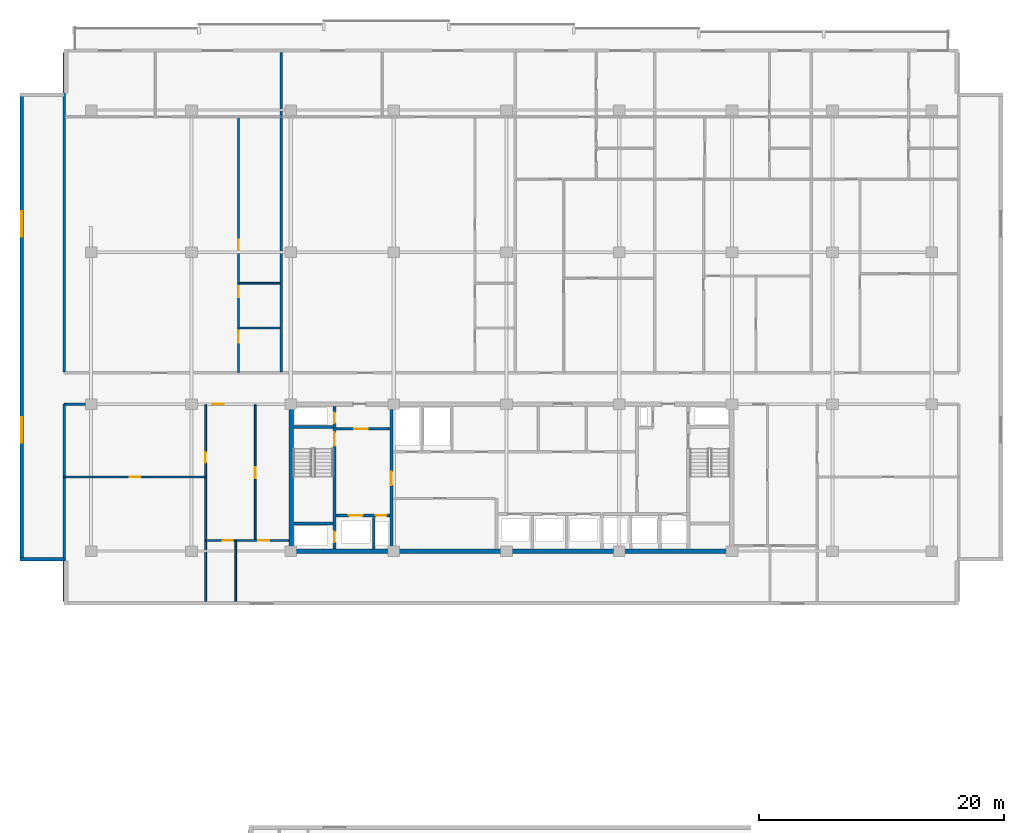
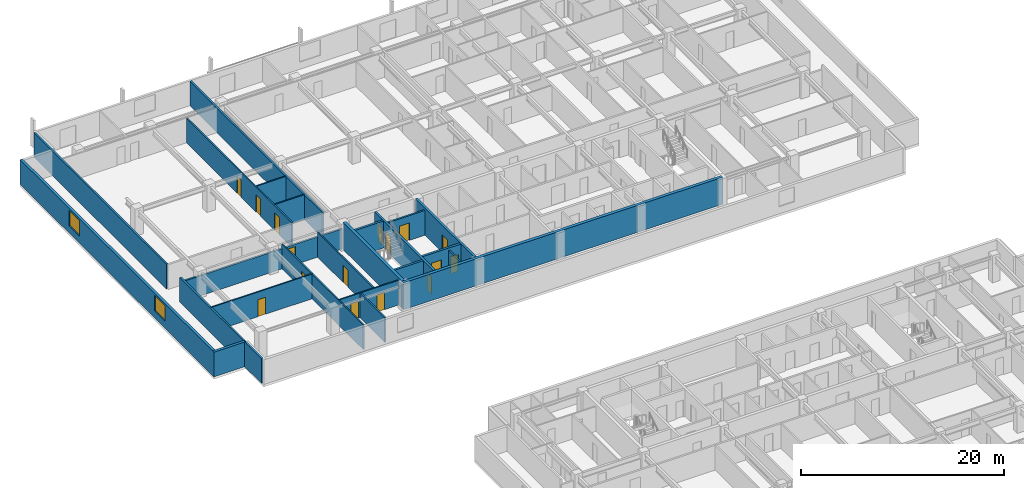
# One storey, part 10 of 21: 23 walls, 16 doors, 2 windows, 18 openings.
"""IFC4 building model written with IfcOpenShell, lengths in metres."""

from ifc_helpers import new_model, si_unit, direction, frame, frame_2d, origin, place, context, subcontext, project, spatial, rectangle, extrude, material, layer, layer_set, type_object, element, fill, save


model = new_model("IFC4")

# Units and contexts
model_context = context("Model", 3, precision=1e-05, world=origin(), true_north=direction((0.0, 1.0)))
body_context = subcontext(model_context, "Body", "Model", "MODEL_VIEW")
ifc_project = project(units=[si_unit("LENGTHUNIT", "METRE"), si_unit("AREAUNIT", "SQUARE_METRE"), si_unit("VOLUMEUNIT", "CUBIC_METRE"), si_unit("PLANEANGLEUNIT", "RADIAN"), si_unit("MASSUNIT", "GRAM", prefix="KILO")], contexts=[model_context])

# Site, building, storey
site_placement = place(None, origin())
site = spatial("IfcSite", under=ifc_project, at=site_placement, CompositionType="ELEMENT")
building_placement = place(site_placement, origin())
building = spatial("IfcBuilding", under=site, at=building_placement, Name="Korimba Cascade Residences", CompositionType="ELEMENT")
storey_placement = place(building_placement, frame((0.0, 0.0, 106.800048828125)))
storey = spatial("IfcBuildingStorey", under=building, at=storey_placement, Name="L30", CompositionType="ELEMENT", Elevation=106.800048828125)

# Wall, openings, windows
ifc_material_1 = material(Name="Precast concrete C40/50", Category="concrete")
ifc_layer_1 = layer(ifc_material_1, 0.300048828125)
ifc_layer_set_1 = layer_set([ifc_layer_1], Name="Precast concrete C40/50")
wall_type_1 = type_object("IfcWallType", Name="EW-STONE-300", PredefinedType="STANDARD", material=ifc_layer_set_1)
wall_1_placement = place(storey_placement, frame((54.14990234375, 92.60009765625, 0.0), z_axis=(0.0, 0.0, 1.0), x_axis=(0.0, -1.0, 0.0)))
wall_1 = element("IfcWall", 1, at=wall_1_placement, inside=storey, type_object=wall_type_1, Name="L30 T1 Perimeter Stone Wall E09", PredefinedType="STANDARD", context=body_context, shape_type="SweptSolid", body=[
    extrude(rectangle(XDim=38.2001953125, YDim=0.300048828125, at=frame_2d((19.10009765625, 0.0))), origin(), (0.0, 0.0, 1.0), 2.969970703125),
])
opening_1_placement = place(wall_1_placement, frame((9.64599609375, 0.0, 0.85009765625)))
opening_1 = element("IfcOpeningElement", 2, at=opening_1_placement, cuts=wall_1, Name="Opening W-03", PredefinedType="OPENING", context=body_context, shape_type="SweptSolid", body=[
    extrude(rectangle(XDim=2.10009765625, YDim=1.85009765625, at=frame_2d((1.050048828125, 0.925048828125))), frame((0.0, 0.16015625, 0.0), z_axis=(0.0, -1.0, 0.0), x_axis=(1.0, 0.0, 0.0)), (0.0, 0.0, 1.0), 0.320068359375),
])
opening_2_placement = place(wall_1_placement, frame((26.4541015625, 0.0, 0.85009765625)))
opening_2 = element("IfcOpeningElement", 3, at=opening_2_placement, cuts=wall_1, Name="Opening W-03", PredefinedType="OPENING", context=body_context, shape_type="SweptSolid", body=[
    extrude(rectangle(XDim=2.10009765625, YDim=1.85009765625, at=frame_2d((1.050048828125, 0.925048828125))), frame((0.0, 0.16015625, 0.0), z_axis=(0.0, -1.0, 0.0), x_axis=(1.0, 0.0, 0.0)), (0.0, 0.0, 1.0), 0.320068359375),
])
ifc_material_2 = material(Name="Double-Glazed Aluminium Window", Category="aluminium")
window_type = type_object("IfcWindowType", Name="WIN-CRN-2100", PartitioningType="DOUBLE_PANEL_HORIZONTAL", PredefinedType="WINDOW", material=ifc_material_2)
window_1_placement = place(opening_1_placement, origin())
window_1 = element("IfcWindow", 4, at=window_1_placement, inside=storey, type_object=window_type, Name="L30 T1 End View Window 9.1", OverallHeight=1.85009765625, OverallWidth=2.10009765625, PartitioningType="DOUBLE_PANEL_HORIZONTAL", PredefinedType="WINDOW", context=body_context, shape_type="SweptSolid", body=[
    extrude(rectangle(XDim=2.10009765625, YDim=1.85009765625, at=frame_2d((1.050048828125, 0.925048828125))), frame((0.0, 0.030029296875, 0.0), z_axis=(0.0, -1.0, 0.0), x_axis=(1.0, 0.0, 0.0)), (0.0, 0.0, 1.0), 0.06005859375),
])
fill(opening_1, window_1)
window_2_placement = place(opening_2_placement, origin())
window_2 = element("IfcWindow", 5, at=window_2_placement, inside=storey, type_object=window_type, Name="L30 T1 End View Window 9.2", OverallHeight=1.85009765625, OverallWidth=2.10009765625, PartitioningType="DOUBLE_PANEL_HORIZONTAL", PredefinedType="WINDOW", context=body_context, shape_type="SweptSolid", body=[
    extrude(rectangle(XDim=2.10009765625, YDim=1.85009765625, at=frame_2d((1.050048828125, 0.925048828125))), frame((0.0, 0.030029296875, 0.0), z_axis=(0.0, -1.0, 0.0), x_axis=(1.0, 0.0, 0.0)), (0.0, 0.0, 1.0), 0.06005859375),
])
fill(opening_2, window_2)

# Walls
wall_2_placement = place(storey_placement, frame((54.0, 54.550048828125, 0.0), z_axis=(0.0, 0.0, 1.0), x_axis=(1.0, 0.0, 0.0)))
element("IfcWall", 6, at=wall_2_placement, inside=storey, type_object=wall_type_1, Name="L30 T1 Perimeter Stone Wall E10", PredefinedType="STANDARD", context=body_context, shape_type="SweptSolid", body=[
    extrude(rectangle(XDim=3.60009765625, YDim=0.300048828125, at=frame_2d((1.800048828125, 0.0))), origin(), (0.0, 0.0, 1.0), 2.969970703125),
])
ifc_material_3 = material(Name="Concrete C65/80", Category="concrete")
ifc_layer_2 = layer(ifc_material_3, 0.35009765625)
ifc_layer_set_2 = layer_set([ifc_layer_2], Name="Concrete C65/80")
wall_type_2 = type_object("IfcWallType", Name="WAL-CORE-350", PredefinedType="SHEAR", material=ifc_layer_set_2)
wall_3_placement = place(storey_placement, frame((75.949951171875, 55.199951171875, 0.0), z_axis=(0.0, 0.0, 1.0), x_axis=(1.0, 0.0, 0.0)))
element("IfcWall", 7, at=wall_3_placement, inside=storey, type_object=wall_type_2, Name="L30 Core Shear Wall CW-L30-T1-S", PredefinedType="SHEAR", context=body_context, shape_type="SweptSolid", body=[
    extrude(rectangle(XDim=36.300048828125, YDim=0.35009765625, at=frame_2d((18.14990234375, 0.0))), origin(), (0.0, 0.0, 1.0), 3.25),
])
wall_4_placement = place(storey_placement, frame((76.125, 55.375, 0.0), z_axis=(0.0, 0.0, 1.0), x_axis=(0.0, 1.0, 0.0)))
element("IfcWall", 8, at=wall_4_placement, inside=storey, type_object=wall_type_2, Name="L30 Core Shear Wall CW-L30-T1-W", PredefinedType="SHEAR", context=body_context, shape_type="SweptSolid", body=[
    extrude(rectangle(XDim=11.64990234375, YDim=0.35009765625, at=frame_2d((5.824951171875, 0.0))), origin(), (0.0, 0.0, 1.0), 3.25),
])
ifc_layer_3 = layer(ifc_material_1, 0.199951171875)
ifc_layer_set_3 = layer_set([ifc_layer_3], Name="Precast concrete C40/50")
wall_type_3 = type_object("IfcWallType", Name="WAL-IT-200", PredefinedType="PARTITIONING", material=ifc_layer_set_3)
wall_5_placement = place(storey_placement, frame((57.60009765625, 51.10009765625, 0.0), z_axis=(0.0, 0.0, 1.0), x_axis=(0.0, 1.0, 0.0)))
element("IfcWall", 9, at=wall_5_placement, inside=storey, type_object=wall_type_3, Name="L30 Partition Wall WAL-L30-T1-FW-WL", PredefinedType="PARTITIONING", context=body_context, shape_type="SweptSolid", body=[
    extrude(rectangle(XDim=16.099853515625, YDim=0.199951171875, at=frame_2d((8.0498046875, 0.0))), origin(), (0.0, 0.0, 1.0), 2.969970703125),
])

# Wall, opening, door
wall_6_placement = place(storey_placement, frame((57.60009765625, 67.199951171875, 0.0), z_axis=(0.0, 0.0, 1.0), x_axis=(1.0, 0.0, 0.0)))
wall_6 = element("IfcWall", 10, at=wall_6_placement, inside=storey, type_object=wall_type_3, Name="L30 Partition Wall WAL-L30-T1-FW-N", PredefinedType="PARTITIONING", context=body_context, shape_type="SweptSolid", body=[
    extrude(rectangle(XDim=18.349853515625, YDim=0.199951171875, at=frame_2d((9.1748046875, 0.0))), origin(), (0.0, 0.0, 1.0), 2.433349609375),
])
opening_3_placement = place(wall_6_placement, frame((12.07470703125, 0.0, 0.0)))
opening_3 = element("IfcOpeningElement", 11, at=opening_3_placement, cuts=wall_6, Name="Opening D-UN1", PredefinedType="OPENING", context=body_context, shape_type="SweptSolid", body=[
    extrude(rectangle(XDim=0.949951171875, YDim=2.14990234375, at=frame_2d((0.47509765625, 1.074951171875))), frame((0.0, 0.10986328125, 0.0), z_axis=(0.0, -1.0, 0.0), x_axis=(1.0, 0.0, 0.0)), (0.0, 0.0, 1.0), 0.219970703125),
])
ifc_material_4 = material(Name="Fire-Rated Hardwood Apartment Entrance Door", Category="wood")
door_type_1 = type_object("IfcDoorType", Name="DR-FD60-950", OperationType="NOTDEFINED", PredefinedType="DOOR", material=ifc_material_4)
door_1_placement = place(opening_3_placement, origin())
door_1 = element("IfcDoor", 12, at=door_1_placement, inside=storey, type_object=door_type_1, Name="L30-T1-FW Entrance Door", OperationType="SINGLE_SWING_RIGHT", OverallHeight=2.14990234375, OverallWidth=0.949951171875, PredefinedType="DOOR", context=body_context, shape_type="SweptSolid", body=[
    extrude(rectangle(XDim=0.949951171875, YDim=2.14990234375, at=frame_2d((0.47509765625, 1.074951171875))), frame((0.0, 0.02490234375, 0.0), z_axis=(0.0, -1.0, 0.0), x_axis=(1.0, 0.0, 0.0)), (0.0, 0.0, 1.0), 0.050048828125),
])
fill(opening_3, door_1)

# Walls
for number, where, z_axis, x_axis, name in (
    (13, (57.60009765625, 69.830078125, 0.0), (0.0, 0.0, 1.0), (0.0, 1.0, 0.0), "L30 Partition Wall WAL-L30-T1-BNDWL"),
    (14, (75.32470703125, 69.830078125, 0.0), (0.0, 0.0, 1.0), (0.0, 1.0, 0.0), "L30 Partition Wall WAL-L30-T1-DEM-1"),
):
    element("IfcWall", number, at=place(storey_placement, frame(where, z_axis=z_axis, x_axis=x_axis)), inside=storey, type_object=wall_type_3, Name=name, PredefinedType="PARTITIONING", context=body_context, shape_type="SweptSolid", body=[
        extrude(rectangle(XDim=26.06982421875, YDim=0.199951171875, at=frame_2d((13.034912109375, 0.0))), origin(), (0.0, 0.0, 1.0), 2.969970703125),
    ])

# Wall, opening, door
ifc_material_5 = material(Name="Insulated Acoustic Stud Partition", Category="gypsum")
ifc_layer_4 = layer(ifc_material_5, 0.14990234375)
ifc_layer_set_4 = layer_set([ifc_layer_4], Name="Insulated Acoustic Stud Partition")
wall_type_4 = type_object("IfcWallType", Name="WAL-PART-150", PredefinedType="PARTITIONING", material=ifc_layer_set_4)
wall_7_placement = place(storey_placement, frame((57.60009765625, 61.25, 0.0), z_axis=(0.0, 0.0, 1.0), x_axis=(1.0, 0.0, 0.0)))
wall_7 = element("IfcWall", 15, at=wall_7_placement, inside=storey, type_object=wall_type_4, Name="L30 Partition Wall WAL-L30-T1-FW-STH", PredefinedType="PARTITIONING", context=body_context, shape_type="SweptSolid", body=[
    extrude(rectangle(XDim=11.5498046875, YDim=0.14990234375, at=frame_2d((5.77490234375, 0.0))), origin(), (0.0, 0.0, 1.0), 2.969970703125),
])
opening_4_placement = place(wall_7_placement, frame((5.35498046875, 0.0, 0.0)))
opening_4 = element("IfcOpeningElement", 16, at=opening_4_placement, cuts=wall_7, Name="Opening D-BT1", PredefinedType="OPENING", context=body_context, shape_type="SweptSolid", body=[
    extrude(rectangle(XDim=0.840087890625, YDim=2.0400390625, at=frame_2d((0.419921875, 1.02001953125))), frame((0.0, 0.0849609375, 0.0), z_axis=(0.0, -1.0, 0.0), x_axis=(1.0, 0.0, 0.0)), (0.0, 0.0, 1.0), 0.169921875),
])
ifc_material_6 = material(Name="Moisture-Resistant Bathroom Timber Door", Category="wood")
door_type_2 = type_object("IfcDoorType", Name="DR-INT-850", OperationType="NOTDEFINED", PredefinedType="DOOR", material=ifc_material_6)
door_2_placement = place(opening_4_placement, origin())
door_2 = element("IfcDoor", 17, at=door_2_placement, inside=storey, type_object=door_type_2, Name="L30-T1-FW Dressing Store Door", OperationType="SINGLE_SWING_LEFT", OverallHeight=2.0400390625, OverallWidth=0.840087890625, PredefinedType="DOOR", context=body_context, shape_type="SweptSolid", body=[
    extrude(rectangle(XDim=0.840087890625, YDim=2.0400390625, at=frame_2d((0.419921875, 1.02001953125))), frame((0.0, 0.02490234375, 0.0), z_axis=(0.0, -1.0, 0.0), x_axis=(1.0, 0.0, 0.0)), (0.0, 0.0, 1.0), 0.050048828125),
])
fill(opening_4, door_2)

wall_8_placement = place(storey_placement, frame((69.14990234375, 51.10009765625, 0.0), z_axis=(0.0, 0.0, 1.0), x_axis=(0.0, 1.0, 0.0)))
wall_8 = element("IfcWall", 18, at=wall_8_placement, inside=storey, type_object=wall_type_4, Name="L30 Partition Wall WAL-L30-T1-FW-STV", PredefinedType="PARTITIONING", context=body_context, shape_type="SweptSolid", body=[
    extrude(rectangle(XDim=16.0498046875, YDim=0.14990234375, at=frame_2d((8.02490234375, 0.0))), origin(), (0.0, 0.0, 1.0), 2.969970703125),
])
opening_5_placement = place(wall_8_placement, frame((11.300048828125, 0.0, 0.0)))
opening_5 = element("IfcOpeningElement", 19, at=opening_5_placement, cuts=wall_8, Name="Opening D-IN2", PredefinedType="OPENING", context=body_context, shape_type="SweptSolid", body=[
    extrude(rectangle(XDim=0.8798828125, YDim=2.06005859375, at=frame_2d((0.43994140625, 1.030029296875))), frame((0.0, 0.0849609375, 0.0), z_axis=(0.0, -1.0, 0.0), x_axis=(1.0, 0.0, 0.0)), (0.0, 0.0, 1.0), 0.169921875),
])
ifc_material_7 = material(Name="Acoustic Timber Bedroom Door", Category="wood")
door_type_3 = type_object("IfcDoorType", Name="DR-INT-880", OperationType="NOTDEFINED", PredefinedType="DOOR", material=ifc_material_7)
door_3_placement = place(opening_5_placement, origin())
door_3 = element("IfcDoor", 20, at=door_3_placement, inside=storey, type_object=door_type_3, Name="L30-T1-FW Study Door", OperationType="SINGLE_SWING_RIGHT", OverallHeight=2.06005859375, OverallWidth=0.8798828125, PredefinedType="DOOR", context=body_context, shape_type="SweptSolid", body=[
    extrude(rectangle(XDim=0.8798828125, YDim=2.06005859375, at=frame_2d((0.43994140625, 1.030029296875))), frame((0.0, 0.02490234375, 0.0), z_axis=(0.0, -1.0, 0.0), x_axis=(1.0, 0.0, 0.0)), (0.0, 0.0, 1.0), 0.050048828125),
])
fill(opening_5, door_3)

wall_9_placement = place(storey_placement, frame((73.199951171875, 56.070068359375, 0.0), z_axis=(0.0, 0.0, 1.0), x_axis=(0.0, 1.0, 0.0)))
wall_9 = element("IfcWall", 21, at=wall_9_placement, inside=storey, type_object=wall_type_4, Name="L30 Partition Wall WAL-L30-T1-FW-VN", PredefinedType="PARTITIONING", context=body_context, shape_type="SweptSolid", body=[
    extrude(rectangle(XDim=11.079833984375, YDim=0.14990234375, at=frame_2d((5.5400390625, 0.0))), origin(), (0.0, 0.0, 1.0), 2.969970703125),
])
opening_6_placement = place(wall_9_placement, frame((5.080078125, 0.0, 0.0)))
opening_6 = element("IfcOpeningElement", 22, at=opening_6_placement, cuts=wall_9, Name="Opening D-IN1", PredefinedType="OPENING", context=body_context, shape_type="SweptSolid", body=[
    extrude(rectangle(XDim=0.919921875, YDim=2.080078125, at=frame_2d((0.4599609375, 1.0400390625))), frame((0.0, 0.0849609375, 0.0), z_axis=(0.0, -1.0, 0.0), x_axis=(1.0, 0.0, 0.0)), (0.0, 0.0, 1.0), 0.169921875),
])
ifc_material_8 = material(Name="Acoustic Timber Living Door", Category="wood")
door_type_4 = type_object("IfcDoorType", Name="DR-INT-920", OperationType="NOTDEFINED", PredefinedType="DOOR", material=ifc_material_8)
door_4_placement = place(opening_6_placement, origin())
door_4 = element("IfcDoor", 23, at=door_4_placement, inside=storey, type_object=door_type_4, Name="L30-T1-FW Living Door", OperationType="SINGLE_SWING_LEFT", OverallHeight=2.080078125, OverallWidth=0.919921875, PredefinedType="DOOR", context=body_context, shape_type="SweptSolid", body=[
    extrude(rectangle(XDim=0.919921875, YDim=2.080078125, at=frame_2d((0.4599609375, 1.0400390625))), frame((0.0, 0.02490234375, 0.0), z_axis=(0.0, -1.0, 0.0), x_axis=(1.0, 0.0, 0.0)), (0.0, 0.0, 1.0), 0.050048828125),
])
fill(opening_6, door_4)

# Wall
wall_10_placement = place(storey_placement, frame((71.60009765625, 51.10009765625, 0.0), z_axis=(0.0, 0.0, 1.0), x_axis=(0.0, 1.0, 0.0)))
element("IfcWall", 24, at=wall_10_placement, inside=storey, type_object=wall_type_4, Name="L30 Partition Wall WAL-L30-T1-FW-VS", PredefinedType="PARTITIONING", context=body_context, shape_type="SweptSolid", body=[
    extrude(rectangle(XDim=4.969970703125, YDim=0.14990234375, at=frame_2d((2.48486328125, 0.0))), origin(), (0.0, 0.0, 1.0), 2.969970703125),
])

# Wall, openings, doors
wall_11_placement = place(storey_placement, frame((69.169921875, 56.070068359375, 0.0), z_axis=(0.0, 0.0, 1.0), x_axis=(1.0, 0.0, 0.0)))
wall_11 = element("IfcWall", 25, at=wall_11_placement, inside=storey, type_object=wall_type_4, Name="L30 Partition Wall WAL-L30-T1-FW-H", PredefinedType="PARTITIONING", context=body_context, shape_type="SweptSolid", body=[
    extrude(rectangle(XDim=6.760009765625, YDim=0.14990234375, at=frame_2d((3.3798828125, 0.0))), origin(), (0.0, 0.0, 1.0), 2.969970703125),
])
opening_7_placement = place(wall_11_placement, frame((1.3623046875, 0.0, 0.0)))
opening_7 = element("IfcOpeningElement", 26, at=opening_7_placement, cuts=wall_11, Name="Opening D-BT1", PredefinedType="OPENING", context=body_context, shape_type="SweptSolid", body=[
    extrude(rectangle(XDim=0.840087890625, YDim=2.0400390625, at=frame_2d((0.419921875, 1.02001953125))), frame((0.0, 0.0849609375, 0.0), z_axis=(0.0, -1.0, 0.0), x_axis=(1.0, 0.0, 0.0)), (0.0, 0.0, 1.0), 0.169921875),
])
opening_8_placement = place(wall_11_placement, frame((4.276611328125, 0.0, 0.0)))
opening_8 = element("IfcOpeningElement", 27, at=opening_8_placement, cuts=wall_11, Name="Opening D-IN2", PredefinedType="OPENING", context=body_context, shape_type="SweptSolid", body=[
    extrude(rectangle(XDim=0.8798828125, YDim=2.06005859375, at=frame_2d((0.43994140625, 1.030029296875))), frame((0.0, 0.0849609375, 0.0), z_axis=(0.0, -1.0, 0.0), x_axis=(1.0, 0.0, 0.0)), (0.0, 0.0, 1.0), 0.169921875),
])
door_5_placement = place(opening_7_placement, origin())
door_5 = element("IfcDoor", 28, at=door_5_placement, inside=storey, type_object=door_type_2, Name="L30-T1-FW Bathroom Door", OperationType="SINGLE_SWING_RIGHT", OverallHeight=2.0400390625, OverallWidth=0.840087890625, PredefinedType="DOOR", context=body_context, shape_type="SweptSolid", body=[
    extrude(rectangle(XDim=0.840087890625, YDim=2.0400390625, at=frame_2d((0.419921875, 1.02001953125))), frame((0.0, 0.02490234375, 0.0), z_axis=(0.0, -1.0, 0.0), x_axis=(1.0, 0.0, 0.0)), (0.0, 0.0, 1.0), 0.050048828125),
])
fill(opening_7, door_5)
door_6_placement = place(opening_8_placement, origin())
door_6 = element("IfcDoor", 29, at=door_6_placement, inside=storey, type_object=door_type_3, Name="L30-T1-FW Bedroom Door", OperationType="SINGLE_SWING_LEFT", OverallHeight=2.06005859375, OverallWidth=0.8798828125, PredefinedType="DOOR", context=body_context, shape_type="SweptSolid", body=[
    extrude(rectangle(XDim=0.8798828125, YDim=2.06005859375, at=frame_2d((0.43994140625, 1.030029296875))), frame((0.0, 0.02490234375, 0.0), z_axis=(0.0, -1.0, 0.0), x_axis=(1.0, 0.0, 0.0)), (0.0, 0.0, 1.0), 0.050048828125),
])
fill(opening_8, door_6)

# Walls
for number, where, z_axis, x_axis, name in (
    (30, (71.884765625, 73.419921875, 0.0), (0.0, 0.0, 1.0), (1.0, 0.0, 0.0), "L30 Partition Wall WAL-L30-T1-U01-WCH"),
    (31, (71.884765625, 77.070068359375, 0.0), (0.0, 0.0, 1.0), (1.0, 0.0, 0.0), "L30 Partition Wall WAL-L30-T1-U01-WCH2"),
):
    element("IfcWall", number, at=place(storey_placement, frame(where, z_axis=z_axis, x_axis=x_axis)), inside=storey, type_object=wall_type_4, Name=name, PredefinedType="PARTITIONING", context=body_context, shape_type="SweptSolid", body=[
        extrude(rectangle(XDim=3.35986328125, YDim=0.14990234375, at=frame_2d((1.679931640625, 0.0))), origin(), (0.0, 0.0, 1.0), 2.969970703125),
    ])

# Wall, openings, doors
wall_12_placement = place(storey_placement, frame((71.82470703125, 69.81005859375, 0.0), z_axis=(0.0, 0.0, 1.0), x_axis=(0.0, 1.0, 0.0)))
wall_12 = element("IfcWall", 32, at=wall_12_placement, inside=storey, type_object=wall_type_4, Name="L30 Partition Wall WAL-L30-T1-U01-WCV", PredefinedType="PARTITIONING", context=body_context, shape_type="SweptSolid", body=[
    extrude(rectangle(XDim=20.780029296875, YDim=0.14990234375, at=frame_2d((10.39013671875, 0.0))), origin(), (0.0, 0.0, 1.0), 2.969970703125),
])
opening_9_placement = place(wall_12_placement, frame((2.406005859375, 0.0, 0.0)))
opening_9 = element("IfcOpeningElement", 33, at=opening_9_placement, cuts=wall_12, Name="Opening D-AC1", PredefinedType="OPENING", context=body_context, shape_type="SweptSolid", body=[
    extrude(rectangle(XDim=0.9599609375, YDim=2.10009765625, at=frame_2d((0.47998046875, 1.050048828125))), frame((0.0, 0.0849609375, 0.0), z_axis=(0.0, -1.0, 0.0), x_axis=(1.0, 0.0, 0.0)), (0.0, 0.0, 1.0), 0.169921875),
])
opening_10_placement = place(wall_12_placement, frame((6.132568359375, 0.0, 0.0)))
opening_10 = element("IfcOpeningElement", 34, at=opening_10_placement, cuts=wall_12, Name="Opening D-IN2", PredefinedType="OPENING", context=body_context, shape_type="SweptSolid", body=[
    extrude(rectangle(XDim=0.8798828125, YDim=2.06005859375, at=frame_2d((0.43994140625, 1.030029296875))), frame((0.0, 0.0849609375, 0.0), z_axis=(0.0, -1.0, 0.0), x_axis=(1.0, 0.0, 0.0)), (0.0, 0.0, 1.0), 0.169921875),
])
opening_11_placement = place(wall_12_placement, frame((9.969970703125, 0.0, 0.0)))
opening_11 = element("IfcOpeningElement", 35, at=opening_11_placement, cuts=wall_12, Name="Opening D-BT1", PredefinedType="OPENING", context=body_context, shape_type="SweptSolid", body=[
    extrude(rectangle(XDim=0.840087890625, YDim=2.0400390625, at=frame_2d((0.419921875, 1.02001953125))), frame((0.0, 0.0849609375, 0.0), z_axis=(0.0, -1.0, 0.0), x_axis=(1.0, 0.0, 0.0)), (0.0, 0.0, 1.0), 0.169921875),
])
ifc_material_9 = material(Name="Accessible Acoustic Timber WC Door", Category="wood")
door_type_5 = type_object("IfcDoorType", Name="DR-ACC-950", OperationType="NOTDEFINED", PredefinedType="DOOR", material=ifc_material_9)
door_7_placement = place(opening_9_placement, origin())
door_7 = element("IfcDoor", 36, at=door_7_placement, inside=storey, type_object=door_type_5, Name="L30-T1-U01 Accessible WC Door", OperationType="SINGLE_SWING_LEFT", OverallHeight=2.10009765625, OverallWidth=0.9599609375, PredefinedType="DOOR", context=body_context, shape_type="SweptSolid", body=[
    extrude(rectangle(XDim=0.9599609375, YDim=2.10009765625, at=frame_2d((0.47998046875, 1.050048828125))), frame((0.0, 0.02490234375, 0.0), z_axis=(0.0, -1.0, 0.0), x_axis=(1.0, 0.0, 0.0)), (0.0, 0.0, 1.0), 0.050048828125),
])
fill(opening_9, door_7)
door_8_placement = place(opening_11_placement, origin())
door_8 = element("IfcDoor", 37, at=door_8_placement, inside=storey, type_object=door_type_2, Name="L30-T1-U01 Suite Store Door", OperationType="SINGLE_SWING_LEFT", OverallHeight=2.0400390625, OverallWidth=0.840087890625, PredefinedType="DOOR", context=body_context, shape_type="SweptSolid", body=[
    extrude(rectangle(XDim=0.840087890625, YDim=2.0400390625, at=frame_2d((0.419921875, 1.02001953125))), frame((0.0, 0.02490234375, 0.0), z_axis=(0.0, -1.0, 0.0), x_axis=(1.0, 0.0, 0.0)), (0.0, 0.0, 1.0), 0.050048828125),
])
fill(opening_11, door_8)
door_9_placement = place(opening_10_placement, origin())
door_9 = element("IfcDoor", 38, at=door_9_placement, inside=storey, type_object=door_type_3, Name="L30-T1-U01 Restroom WC Door", OperationType="SINGLE_SWING_RIGHT", OverallHeight=2.06005859375, OverallWidth=0.8798828125, PredefinedType="DOOR", context=body_context, shape_type="SweptSolid", body=[
    extrude(rectangle(XDim=0.8798828125, YDim=2.06005859375, at=frame_2d((0.43994140625, 1.030029296875))), frame((0.0, 0.02490234375, 0.0), z_axis=(0.0, -1.0, 0.0), x_axis=(1.0, 0.0, 0.0)), (0.0, 0.0, 1.0), 0.050048828125),
])
fill(opening_10, door_9)

# Wall
ifc_material_10 = material(Name="Concrete C40/50", Category="concrete")
ifc_layer_5 = layer(ifc_material_10, 0.199951171875)
ifc_layer_set_5 = layer_set([ifc_layer_5], Name="Concrete C40/50")
wall_type_5 = type_object("IfcWallType", Name="WAL-PART-200", PredefinedType="PARTITIONING", material=ifc_layer_set_5)
wall_13_placement = place(storey_placement, frame((82.85009765625, 55.39990234375, 0.0), z_axis=(0.0, 0.0, 1.0), x_axis=(0.0, 1.0, 0.0)))
element("IfcWall", 39, at=wall_13_placement, inside=storey, type_object=wall_type_5, Name="L30 Partition Wall CW-L30-T1-FFLDIV", PredefinedType="PARTITIONING", context=body_context, shape_type="SweptSolid", body=[
    extrude(rectangle(XDim=2.56005859375, YDim=0.199951171875, at=frame_2d((1.280029296875, 0.0))), origin(), (0.0, 0.0, 1.0), 2.969970703125),
])

# Wall, opening, door
wall_14_placement = place(storey_placement, frame((79.7900390625, 65.179931640625, 0.0), z_axis=(0.0, 0.0, 1.0), x_axis=(1.0, 0.0, 0.0)))
wall_14 = element("IfcWall", 40, at=wall_14_placement, inside=storey, type_object=wall_type_5, Name="L30 Partition Wall CW-L30-T1-FFLN", PredefinedType="PARTITIONING", context=body_context, shape_type="SweptSolid", body=[
    extrude(rectangle(XDim=4.389892578125, YDim=0.199951171875, at=frame_2d((2.19482421875, 0.0))), origin(), (0.0, 0.0, 1.0), 2.969970703125),
])
opening_12_placement = place(wall_14_placement, frame((1.5, 0.0, 0.0)))
opening_12 = element("IfcOpeningElement", 41, at=opening_12_placement, cuts=wall_14, Name="Opening D-FD1", PredefinedType="OPENING", context=body_context, shape_type="SweptSolid", body=[
    extrude(rectangle(XDim=1.10009765625, YDim=2.10009765625, at=frame_2d((0.550048828125, 1.050048828125))), frame((0.0, 0.10986328125, 0.0), z_axis=(0.0, -1.0, 0.0), x_axis=(1.0, 0.0, 0.0)), (0.0, 0.0, 1.0), 0.219970703125),
])
ifc_material_11 = material(Name="Fire-Rated Steel Core Door", Category="steel")
door_type_6 = type_object("IfcDoorType", Name="DR-FD120-1100", OperationType="NOTDEFINED", PredefinedType="DOOR", material=ifc_material_11)
door_10_placement = place(opening_12_placement, origin())
door_10 = element("IfcDoor", 42, at=door_10_placement, inside=storey, type_object=door_type_6, Name="L30 West Firefighting Lobby Door", OperationType="SINGLE_SWING_RIGHT", OverallHeight=2.10009765625, OverallWidth=1.10009765625, PredefinedType="DOOR", context=body_context, shape_type="SweptSolid", body=[
    extrude(rectangle(XDim=1.10009765625, YDim=2.10009765625, at=frame_2d((0.550048828125, 1.050048828125))), frame((0.0, 0.02490234375, 0.0), z_axis=(0.0, -1.0, 0.0), x_axis=(1.0, 0.0, 0.0)), (0.0, 0.0, 1.0), 0.050048828125),
])
fill(opening_12, door_10)

# Wall, openings, doors
ifc_material_12 = material(Name="Concrete C50/60", Category="concrete")
ifc_layer_6 = layer(ifc_material_12, 0.25)
ifc_layer_set_6 = layer_set([ifc_layer_6], Name="Concrete C50/60")
wall_type_6 = type_object("IfcWallType", Name="WAL-SHAFT-250", PredefinedType="SHEAR", material=ifc_layer_set_6)
wall_15_placement = place(storey_placement, frame((79.6650390625, 55.39990234375, 0.0), z_axis=(0.0, 0.0, 1.0), x_axis=(0.0, 1.0, 0.0)))
wall_15 = element("IfcWall", 43, at=wall_15_placement, inside=storey, type_object=wall_type_6, Name="L30 Core Shear Wall CW-L30-T1-STW1E", PredefinedType="SHEAR", context=body_context, shape_type="SweptSolid", body=[
    extrude(rectangle(XDim=11.60009765625, YDim=0.25, at=frame_2d((5.800048828125, 0.0))), origin(), (0.0, 0.0, 1.0), 3.25),
])
opening_13_placement = place(wall_15_placement, frame((0.550048828125, 0.0, 0.0)))
opening_13 = element("IfcOpeningElement", 44, at=opening_13_placement, cuts=wall_15, Name="Opening D-RS1", PredefinedType="OPENING", context=body_context, shape_type="SweptSolid", body=[
    extrude(rectangle(XDim=0.85009765625, YDim=2.050048828125, at=frame_2d((0.425048828125, 1.02490234375))), frame((0.0, 0.135009765625, 0.0), z_axis=(0.0, -1.0, 0.0), x_axis=(1.0, 0.0, 0.0)), (0.0, 0.0, 1.0), 0.27001953125),
])
opening_14_placement = place(wall_15_placement, frame((8.39990234375, 0.0, 0.0)))
opening_14 = element("IfcOpeningElement", 45, at=opening_14_placement, cuts=wall_15, Name="Opening D-FD1", PredefinedType="OPENING", context=body_context, shape_type="SweptSolid", body=[
    extrude(rectangle(XDim=1.10009765625, YDim=2.10009765625, at=frame_2d((0.550048828125, 1.050048828125))), frame((0.0, 0.135009765625, 0.0), z_axis=(0.0, -1.0, 0.0), x_axis=(1.0, 0.0, 0.0)), (0.0, 0.0, 1.0), 0.27001953125),
])
opening_15_placement = place(wall_15_placement, frame((10.25, 0.0, 0.0)))
opening_15 = element("IfcOpeningElement", 46, at=opening_15_placement, cuts=wall_15, Name="Opening D-RS1", PredefinedType="OPENING", context=body_context, shape_type="SweptSolid", body=[
    extrude(rectangle(XDim=0.85009765625, YDim=2.050048828125, at=frame_2d((0.425048828125, 1.02490234375))), frame((0.0, 0.135009765625, 0.0), z_axis=(0.0, -1.0, 0.0), x_axis=(1.0, 0.0, 0.0)), (0.0, 0.0, 1.0), 0.27001953125),
])
door_11_placement = place(opening_14_placement, origin())
door_11 = element("IfcDoor", 47, at=door_11_placement, inside=storey, type_object=door_type_6, Name="L30 Fire Stair ST-W1 Door", OperationType="SINGLE_SWING_LEFT", OverallHeight=2.10009765625, OverallWidth=1.10009765625, PredefinedType="DOOR", context=body_context, shape_type="SweptSolid", body=[
    extrude(rectangle(XDim=1.10009765625, YDim=2.10009765625, at=frame_2d((0.550048828125, 1.050048828125))), frame((0.0, 0.02490234375, 0.0), z_axis=(0.0, -1.0, 0.0), x_axis=(1.0, 0.0, 0.0)), (0.0, 0.0, 1.0), 0.050048828125),
])
fill(opening_14, door_11)
ifc_material_13 = material(Name="Fire-Rated Steel Riser Access Door", Category="steel")
door_type_7 = type_object("IfcDoorType", Name="DR-FD60-850", OperationType="NOTDEFINED", PredefinedType="DOOR", material=ifc_material_13)
door_12_placement = place(opening_13_placement, origin())
door_12 = element("IfcDoor", 48, at=door_12_placement, inside=storey, type_object=door_type_7, Name="L30 Smoke Riser Access Door", OperationType="SINGLE_SWING_RIGHT", OverallHeight=2.050048828125, OverallWidth=0.85009765625, PredefinedType="DOOR", context=body_context, shape_type="SweptSolid", body=[
    extrude(rectangle(XDim=0.85009765625, YDim=2.050048828125, at=frame_2d((0.425048828125, 1.02490234375))), frame((0.0, 0.02490234375, 0.0), z_axis=(0.0, -1.0, 0.0), x_axis=(1.0, 0.0, 0.0)), (0.0, 0.0, 1.0), 0.050048828125),
])
fill(opening_13, door_12)
door_13_placement = place(opening_15_placement, origin())
door_13 = element("IfcDoor", 49, at=door_13_placement, inside=storey, type_object=door_type_7, Name="L30 Hydrant Riser Access Door", OperationType="SINGLE_SWING_RIGHT", OverallHeight=2.050048828125, OverallWidth=0.85009765625, PredefinedType="DOOR", context=body_context, shape_type="SweptSolid", body=[
    extrude(rectangle(XDim=0.85009765625, YDim=2.050048828125, at=frame_2d((0.425048828125, 1.02490234375))), frame((0.0, 0.02490234375, 0.0), z_axis=(0.0, -1.0, 0.0), x_axis=(1.0, 0.0, 0.0)), (0.0, 0.0, 1.0), 0.050048828125),
])
fill(opening_15, door_13)

# Walls
for number, where, z_axis, x_axis, name in (
    (50, (76.300048828125, 57.47509765625, 0.0), (0.0, 0.0, 1.0), (1.0, 0.0, 0.0), "L30 Core Shear Wall CW-L30-T1-STW1S"),
    (51, (76.300048828125, 65.324951171875, 0.0), (0.0, 0.0, 1.0), (1.0, 0.0, 0.0), "L30 Core Shear Wall CW-L30-T1-STW1N"),
):
    element("IfcWall", number, at=place(storey_placement, frame(where, z_axis=z_axis, x_axis=x_axis)), inside=storey, type_object=wall_type_6, Name=name, PredefinedType="SHEAR", context=body_context, shape_type="SweptSolid", body=[
        extrude(rectangle(XDim=3.239990234375, YDim=0.25, at=frame_2d((1.6201171875, 0.0))), origin(), (0.0, 0.0, 1.0), 3.25),
    ])

# Wall, openings, doors
wall_16_placement = place(storey_placement, frame((79.7900390625, 58.10009765625, 0.0), z_axis=(0.0, 0.0, 1.0), x_axis=(1.0, 0.0, 0.0)))
wall_16 = element("IfcWall", 52, at=wall_16_placement, inside=storey, type_object=wall_type_6, Name="L30 Core Shear Wall CW-L30-T1-FFLS", PredefinedType="SHEAR", context=body_context, shape_type="SweptSolid", body=[
    extrude(rectangle(XDim=4.389892578125, YDim=0.25, at=frame_2d((2.19482421875, 0.0))), origin(), (0.0, 0.0, 1.0), 3.25),
])
opening_16_placement = place(wall_16_placement, frame((1.050048828125, 0.0, 0.0)))
opening_16 = element("IfcOpeningElement", 53, at=opening_16_placement, cuts=wall_16, Name="Opening LD-01", PredefinedType="OPENING", context=body_context, shape_type="SweptSolid", body=[
    extrude(rectangle(XDim=1.1201171875, YDim=2.1201171875, at=frame_2d((0.56005859375, 1.06005859375))), frame((0.0, 0.135009765625, 0.0), z_axis=(0.0, -1.0, 0.0), x_axis=(1.0, 0.0, 0.0)), (0.0, 0.0, 1.0), 0.27001953125),
])
opening_17_placement = place(wall_16_placement, frame((3.260009765625, 0.0, 0.0)))
opening_17 = element("IfcOpeningElement", 54, at=opening_17_placement, cuts=wall_16, Name="Opening D-RS1", PredefinedType="OPENING", context=body_context, shape_type="SweptSolid", body=[
    extrude(rectangle(XDim=0.85009765625, YDim=2.050048828125, at=frame_2d((0.425048828125, 1.02490234375))), frame((0.0, 0.135009765625, 0.0), z_axis=(0.0, -1.0, 0.0), x_axis=(1.0, 0.0, 0.0)), (0.0, 0.0, 1.0), 0.27001953125),
])
door_14_placement = place(opening_17_placement, origin())
door_14 = element("IfcDoor", 55, at=door_14_placement, inside=storey, type_object=door_type_7, Name="L30 Pressurisation Riser Door", OperationType="SINGLE_SWING_LEFT", OverallHeight=2.050048828125, OverallWidth=0.85009765625, PredefinedType="DOOR", context=body_context, shape_type="SweptSolid", body=[
    extrude(rectangle(XDim=0.85009765625, YDim=2.050048828125, at=frame_2d((0.425048828125, 1.02490234375))), frame((0.0, 0.02490234375, 0.0), z_axis=(0.0, -1.0, 0.0), x_axis=(1.0, 0.0, 0.0)), (0.0, 0.0, 1.0), 0.050048828125),
])
fill(opening_17, door_14)
ifc_material_14 = material(Name="Stainless Steel Lift Landing Sliding Door", Category="steel")
door_type_8 = type_object("IfcDoorType", Name="DR-LIFT-1100", OperationType="NOTDEFINED", PredefinedType="DOOR", material=ifc_material_14)
door_15_placement = place(opening_16_placement, origin())
door_15 = element("IfcDoor", 56, at=door_15_placement, inside=storey, type_object=door_type_8, Name="L30 Firefighting Lift Landing Door FFL-W1", OperationType="SLIDING_TO_LEFT", OverallHeight=2.1201171875, OverallWidth=1.1201171875, PredefinedType="DOOR", context=body_context, shape_type="SweptSolid", body=[
    extrude(rectangle(XDim=1.1201171875, YDim=2.1201171875, at=frame_2d((0.56005859375, 1.06005859375))), frame((0.0, 0.02490234375, 0.0), z_axis=(0.0, -1.0, 0.0), x_axis=(1.0, 0.0, 0.0)), (0.0, 0.0, 1.0), 0.050048828125),
])
fill(opening_16, door_15)

# Wall, opening, door
wall_17_placement = place(storey_placement, frame((84.300048828125, 55.39990234375, 0.0), z_axis=(0.0, 0.0, 1.0), x_axis=(0.0, 1.0, 0.0)))
wall_17 = element("IfcWall", 57, at=wall_17_placement, inside=storey, type_object=wall_type_6, Name="L30 Core Shear Wall CW-L30-T1-FFLE", PredefinedType="SHEAR", context=body_context, shape_type="SweptSolid", body=[
    extrude(rectangle(XDim=11.60009765625, YDim=0.25, at=frame_2d((5.800048828125, 0.0))), origin(), (0.0, 0.0, 1.0), 3.25),
])
opening_18_placement = place(wall_17_placement, frame((5.199951171875, 0.0, 0.0)))
opening_18 = element("IfcOpeningElement", 58, at=opening_18_placement, cuts=wall_17, Name="Opening D-FD1", PredefinedType="OPENING", context=body_context, shape_type="SweptSolid", body=[
    extrude(rectangle(XDim=1.10009765625, YDim=2.10009765625, at=frame_2d((0.550048828125, 1.050048828125))), frame((0.0, 0.135009765625, 0.0), z_axis=(0.0, -1.0, 0.0), x_axis=(1.0, 0.0, 0.0)), (0.0, 0.0, 1.0), 0.27001953125),
])
door_16_placement = place(opening_18_placement, origin())
door_16 = element("IfcDoor", 59, at=door_16_placement, inside=storey, type_object=door_type_6, Name="L30 Firefighting Lobby to Lift Lobby Door", OperationType="SINGLE_SWING_LEFT", OverallHeight=2.10009765625, OverallWidth=1.10009765625, PredefinedType="DOOR", context=body_context, shape_type="SweptSolid", body=[
    extrude(rectangle(XDim=1.10009765625, YDim=2.10009765625, at=frame_2d((0.550048828125, 1.050048828125))), frame((0.0, 0.02490234375, 0.0), z_axis=(0.0, -1.0, 0.0), x_axis=(1.0, 0.0, 0.0)), (0.0, 0.0, 1.0), 0.050048828125),
])
fill(opening_18, door_16)

save(model, "model.ifc")
